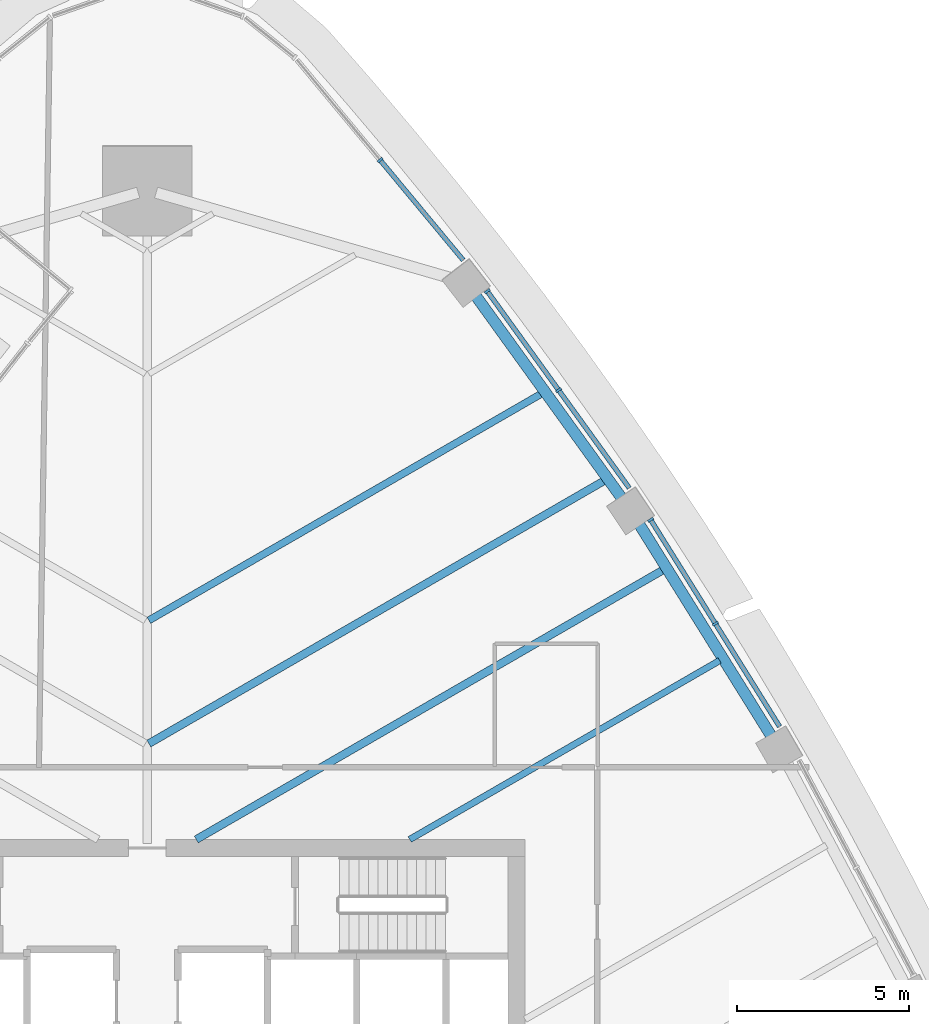
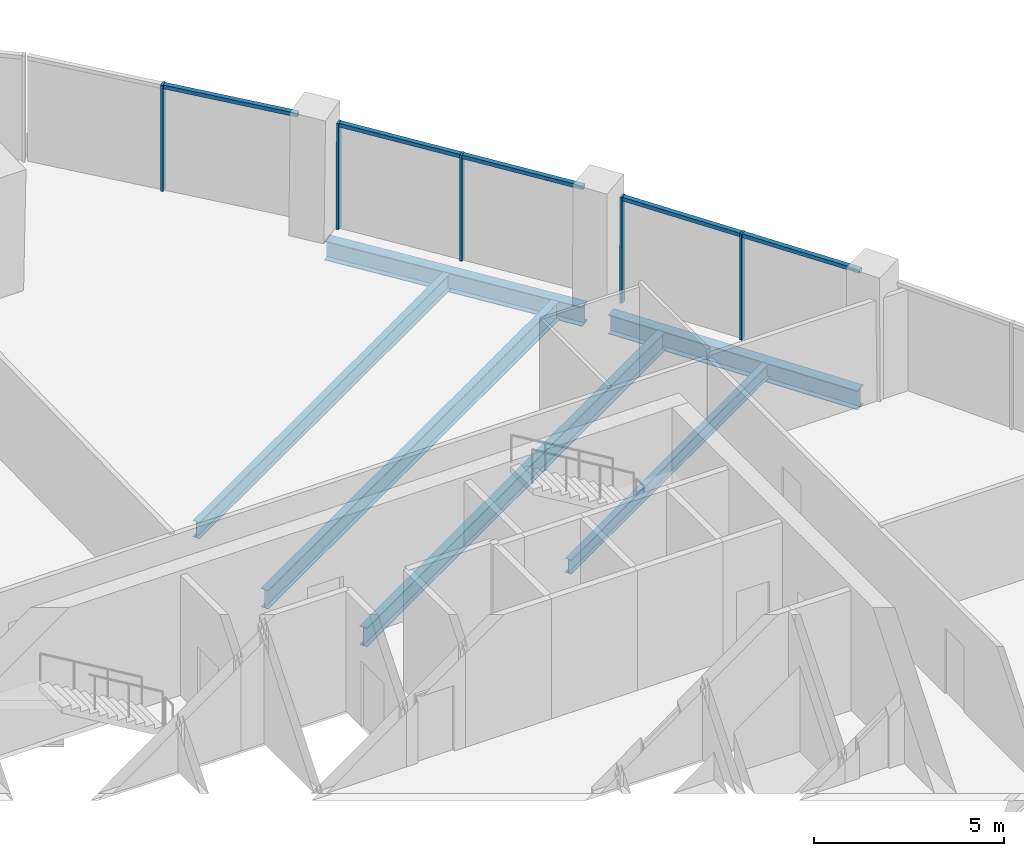
# One storey, part 6 of 18: 10 members, 6 beams, 3 elements without a shape of their own.
"""IFC4 building model written with IfcOpenShell, lengths in metres."""

from ifc_helpers import new_model, si_unit, direction, frame, origin, origin_2d, place, context, subcontext, project, spatial, rectangle, i_section, extrude, material, layer, layer_set, material_profile, profile_set, type_object, element, aggregate, save


model = new_model("IFC4")

# Units and contexts
model_context = context("Model", 3, precision=1e-05, world=origin(), true_north=direction((0.0, 1.0)))
body_context = subcontext(model_context, "Body", "Model", "MODEL_VIEW")
ifc_project = project(units=[si_unit("LENGTHUNIT", "METRE"), si_unit("AREAUNIT", "SQUARE_METRE"), si_unit("VOLUMEUNIT", "CUBIC_METRE"), si_unit("PLANEANGLEUNIT", "RADIAN"), si_unit("MASSUNIT", "GRAM", prefix="KILO")], contexts=[model_context])

# Site, building, storey
site_placement = place(None, origin())
site = spatial("IfcSite", under=ifc_project, at=site_placement, CompositionType="ELEMENT")
building_placement = place(site_placement, origin())
building = spatial("IfcBuilding", under=site, at=building_placement, Name="Sierra Prisma Convention Tower", CompositionType="ELEMENT")
storey_placement = place(building_placement, frame((0.0, 0.0, 189.800048828125)))
storey = spatial("IfcBuildingStorey", under=building, at=storey_placement, Name="L42", CompositionType="ELEMENT", Elevation=189.800048828125)

# Curtain wall, members
ifc_material_1 = material(Name="Aluminium and glass curtain wall", Category="aluminium")
ifc_layer = layer(ifc_material_1, 0.179931640625)
ifc_layer_set = layer_set([ifc_layer], Name="CW-1 Plain shaft curtain wall")
curtain_wall_type = type_object("IfcCurtainWallType", Name="CW-1 Plain shaft curtain wall", PredefinedType="NOTDEFINED", material=ifc_layer_set)
curtain_wall_1_placement = place(storey_placement, origin())
curtain_wall_1 = element("IfcCurtainWall", 1, at=curtain_wall_1_placement, inside=storey, type_object=curtain_wall_type, Name="CW-1 NE4 L42", PredefinedType="NOTDEFINED")
ifc_material_2 = material(Name="Aluminium 6063-T6 bronze anodised", Category="aluminium")
ifc_material_profile_1 = material_profile(ifc_material_2, rectangle(XDim=0.179931640625, YDim=0.070068359375, at=origin_2d()), Name="ALU MULLION 70x180")
ifc_profile_set_1 = profile_set([ifc_material_profile_1], Name="Aluminium 6063-T6 bronze anodised")
member_type_1 = type_object("IfcMemberType", Name="CW mullion bronze", PredefinedType="MULLION", material=ifc_profile_set_1)
member_1_placement = place(storey_placement, frame((16.54150390625, 14.2802734375, 0.0), z_axis=(0.0, 0.0, 1.0), x_axis=(-0.848608068677, -0.529022065491, 0.0)))
member_1 = element("IfcMember", 2, at=member_1_placement, type_object=member_type_1, Name="CW-1 mullion NE4.2", PredefinedType="MULLION", context=body_context, shape_type="SweptSolid", body=[
    extrude(rectangle(XDim=0.179931640625, YDim=0.070068359375, at=origin_2d()), origin(), (0.0, 0.0, 1.0), 3.39990234375),
])
member_2_placement = place(storey_placement, frame((14.65625, 17.304443359375, 0.0), z_axis=(0.0, 0.0, 1.0), x_axis=(-0.848608068677, -0.529022065491, 0.0)))
member_2 = element("IfcMember", 3, at=member_2_placement, type_object=member_type_1, Name="CW-1 mullion NE4.3", PredefinedType="MULLION", context=body_context, shape_type="SweptSolid", body=[
    extrude(rectangle(XDim=0.179931640625, YDim=0.070068359375, at=origin_2d()), origin(), (0.0, 0.0, 1.0), 3.39990234375),
])

curtain_wall_2_placement = place(storey_placement, origin())
curtain_wall_2 = element("IfcCurtainWall", 4, at=curtain_wall_2_placement, inside=storey, type_object=curtain_wall_type, Name="CW-1 NE5 L42", PredefinedType="NOTDEFINED")
member_3_placement = place(storey_placement, frame((11.97705078125, 21.080078125, 0.0), z_axis=(0.0, 0.0, 1.0), x_axis=(-0.810877858484, -0.58521542924, 0.0)))
member_3 = element("IfcMember", 5, at=member_3_placement, type_object=member_type_1, Name="CW-1 mullion NE5.2", PredefinedType="MULLION", context=body_context, shape_type="SweptSolid", body=[
    extrude(rectangle(XDim=0.179931640625, YDim=0.070068359375, at=origin_2d()), origin(), (0.0, 0.0, 1.0), 3.39990234375),
])
member_4_placement = place(storey_placement, frame((9.900634765625, 23.957275390625, 0.0), z_axis=(0.0, 0.0, 1.0), x_axis=(-0.810877858484, -0.58521542924, 0.0)))
member_4 = element("IfcMember", 6, at=member_4_placement, type_object=member_type_1, Name="CW-1 mullion NE5.3", PredefinedType="MULLION", context=body_context, shape_type="SweptSolid", body=[
    extrude(rectangle(XDim=0.179931640625, YDim=0.070068359375, at=origin_2d()), origin(), (0.0, 0.0, 1.0), 3.39990234375),
])

# Curtain wall, member
curtain_wall_3_placement = place(storey_placement, origin())
curtain_wall_3 = element("IfcCurtainWall", 7, at=curtain_wall_3_placement, inside=storey, type_object=curtain_wall_type, Name="CW-1 NE6 L42", PredefinedType="NOTDEFINED")
member_5_placement = place(storey_placement, frame((6.781005859375, 27.776611328125, 0.0), z_axis=(0.0, 0.0, 1.0), x_axis=(-0.769432803661, -0.638727767246, 0.0)))
member_5 = element("IfcMember", 8, at=member_5_placement, type_object=member_type_1, Name="CW-1 mullion NE6.2", PredefinedType="MULLION", context=body_context, shape_type="SweptSolid", body=[
    extrude(rectangle(XDim=0.179931640625, YDim=0.070068359375, at=origin_2d()), origin(), (0.0, 0.0, 1.0), 3.39990234375),
])

# Member
ifc_material_3 = material(Name="Aluminium 6063-T6 bronze anodised", Category="aluminium")
ifc_material_profile_2 = material_profile(ifc_material_3, rectangle(XDim=0.139892578125, YDim=0.1201171875, at=origin_2d()), Name="ALU TRANSOM 120x140")
ifc_profile_set_2 = profile_set([ifc_material_profile_2], Name="Aluminium 6063-T6 bronze anodised")
member_type_2 = type_object("IfcMemberType", Name="CW transom bronze", PredefinedType="USERDEFINED", material=ifc_profile_set_2)
member_6_placement = place(storey_placement, frame((18.408203125, 11.285888671875, 3.33984375), z_axis=(-0.528993548347, 0.848625845592, 0.0), x_axis=(-0.848625845592, -0.528993548347, 0.0)))
member_6 = element("IfcMember", 9, at=member_6_placement, type_object=member_type_2, Name="CW-1 transom NE4.1", ObjectType="TRANSOM", PredefinedType="USERDEFINED", context=body_context, shape_type="SweptSolid", body=[
    extrude(rectangle(XDim=0.139892578125, YDim=0.1201171875, at=origin_2d()), origin(), (0.0, 0.0, 1.0), 3.49365234375),
])

member_7_placement = place(storey_placement, frame((16.52294921875, 14.31005859375, 3.33984375), z_axis=(-0.528993548347, 0.848625845592, 0.0), x_axis=(-0.848625845592, -0.528993548347, 0.0)))
member_7 = element("IfcMember", 10, at=member_7_placement, type_object=member_type_2, Name="CW-1 transom NE4.2", ObjectType="TRANSOM", PredefinedType="USERDEFINED", context=body_context, shape_type="SweptSolid", body=[
    extrude(rectangle(XDim=0.139892578125, YDim=0.1201171875, at=origin_2d()), origin(), (0.0, 0.0, 1.0), 3.49365234375),
])

aggregate(curtain_wall_1, [member_1, member_2, member_6, member_7])

member_8_placement = place(storey_placement, frame((14.033203125, 18.23095703125, 3.33984375), z_axis=(-0.585188141364, 0.81089755161, 0.0), x_axis=(-0.81089755161, -0.585188141364, 0.0)))
member_8 = element("IfcMember", 11, at=member_8_placement, type_object=member_type_2, Name="CW-1 transom NE5.1", ObjectType="TRANSOM", PredefinedType="USERDEFINED", context=body_context, shape_type="SweptSolid", body=[
    extrude(rectangle(XDim=0.139892578125, YDim=0.1201171875, at=origin_2d()), origin(), (0.0, 0.0, 1.0), 3.478515625),
])

member_9_placement = place(storey_placement, frame((11.95654296875, 21.1083984375, 3.33984375), z_axis=(-0.585221446669, 0.810873515635, 0.0), x_axis=(-0.810873515635, -0.585221446669, 0.0)))
member_9 = element("IfcMember", 12, at=member_9_placement, type_object=member_type_2, Name="CW-1 transom NE5.2", ObjectType="TRANSOM", PredefinedType="USERDEFINED", context=body_context, shape_type="SweptSolid", body=[
    extrude(rectangle(XDim=0.139892578125, YDim=0.1201171875, at=origin_2d()), origin(), (0.0, 0.0, 1.0), 3.478515625),
])

aggregate(curtain_wall_2, [member_3, member_4, member_8, member_9])

member_10_placement = place(storey_placement, frame((9.198486328125, 24.864501953125, 3.33984375), z_axis=(-0.638780828733, 0.76938875274, 0.0), x_axis=(-0.76938875274, -0.638780828733, 0.0)))
member_10 = element("IfcMember", 13, at=member_10_placement, type_object=member_type_2, Name="CW-1 transom NE6.1", ObjectType="TRANSOM", PredefinedType="USERDEFINED", context=body_context, shape_type="SweptSolid", body=[
    extrude(rectangle(XDim=0.139892578125, YDim=0.1201171875, at=origin_2d()), origin(), (0.0, 0.0, 1.0), 3.749755859375),
])

aggregate(curtain_wall_3, [member_5, member_10])

# Beams
ifc_material_4 = material(Name="Steel ASTM A992 Gr 50", Category="steel")
ifc_material_profile_3 = material_profile(ifc_material_4, i_section(OverallWidth=0.18994140625, OverallDepth=0.45703125, WebThickness=0.009033203125, FlangeThickness=0.014404296875, at=origin_2d()), Name="W460x74")
ifc_profile_set_3 = profile_set([ifc_material_profile_3], Name="Steel ASTM A992 Gr 50")
beam_type_1 = type_object("IfcBeamType", Name="Floor joist W460x74", PredefinedType="JOIST", material=ifc_profile_set_3)
beam_1_placement = place(storey_placement, frame((16.664794921875, 13.20849609375, -0.378662109375), z_axis=(-0.866027911904, -0.499995655785, 0.0), x_axis=(0.499995655785, -0.866027911904, 0.0)))
element("IfcBeam", 14, at=beam_1_placement, inside=storey, type_object=beam_type_1, Name="Floor joist L42 NE09", PredefinedType="JOIST", context=body_context, shape_type="SweptSolid", body=[
    extrude(i_section(OverallWidth=0.18994140625, OverallDepth=0.45703125, WebThickness=0.009033203125, FlangeThickness=0.014404296875, at=origin_2d()), origin(), (0.0, 0.0, 1.0), 10.4169921875),
])
ifc_material_5 = material(Name="Steel ASTM A992 Gr 50", Category="steel")
ifc_material_profile_4 = material_profile(ifc_material_5, i_section(OverallWidth=0.208984375, OverallDepth=0.532958984375, WebThickness=0.01025390625, FlangeThickness=0.015625, at=origin_2d()), Name="W530x92")
ifc_profile_set_4 = profile_set([ifc_material_profile_4], Name="Steel ASTM A992 Gr 50")
beam_type_2 = type_object("IfcBeamType", Name="Floor joist W530x92", PredefinedType="JOIST", material=ifc_profile_set_4)
beam_2_placement = place(storey_placement, frame((11.48095703125, 20.97705078125, -0.41650390625), z_axis=(-0.866020477003, -0.500008533339, 0.0), x_axis=(0.500008533339, -0.866020477003, 0.0)))
element("IfcBeam", 15, at=beam_2_placement, inside=storey, type_object=beam_type_2, Name="Floor joist L42 NE12", PredefinedType="JOIST", context=body_context, shape_type="SweptSolid", body=[
    extrude(i_section(OverallWidth=0.208984375, OverallDepth=0.532958984375, WebThickness=0.01025390625, FlangeThickness=0.015625, at=origin_2d()), origin(), (0.0, 0.0, 1.0), 13.198486328125),
])
ifc_material_6 = material(Name="Steel ASTM A992 Gr 50", Category="steel")
ifc_material_profile_5 = material_profile(ifc_material_6, i_section(OverallWidth=0.22802734375, OverallDepth=0.60302734375, WebThickness=0.010498046875, FlangeThickness=0.014892578125, at=origin_2d()), Name="W610x101")
ifc_profile_set_5 = profile_set([ifc_material_profile_5], Name="Steel ASTM A992 Gr 50")
beam_type_3 = type_object("IfcBeamType", Name="Floor joist W610x101", PredefinedType="JOIST", material=ifc_profile_set_5)
beam_3_placement = place(storey_placement, frame((15.0205078125, 15.84619140625, -0.45166015625), z_axis=(-0.86602676955, -0.499997634417, 0.0), x_axis=(0.499997634417, -0.86602676955, 0.0)))
element("IfcBeam", 16, at=beam_3_placement, inside=storey, type_object=beam_type_3, Name="Floor joist L42 NE10", PredefinedType="JOIST", context=body_context, shape_type="SweptSolid", body=[
    extrude(i_section(OverallWidth=0.22802734375, OverallDepth=0.60302734375, WebThickness=0.010498046875, FlangeThickness=0.014892578125, at=origin_2d()), origin(), (0.0, 0.0, 1.0), 15.6923828125),
])
beam_4_placement = place(storey_placement, frame((13.308349609375, 18.44482421875, -0.45166015625), z_axis=(-0.866024379447, -0.500001774201, 0.0), x_axis=(0.500001774201, -0.866024379447, 0.0)))
element("IfcBeam", 17, at=beam_4_placement, inside=storey, type_object=beam_type_3, Name="Floor joist L42 NE11", PredefinedType="JOIST", context=body_context, shape_type="SweptSolid", body=[
    extrude(i_section(OverallWidth=0.22802734375, OverallDepth=0.60302734375, WebThickness=0.010498046875, FlangeThickness=0.014892578125, at=origin_2d()), origin(), (0.0, 0.0, 1.0), 15.30859375),
])
ifc_material_7 = material(Name="Steel ASTM A992 Gr 50", Category="steel")
ifc_material_profile_6 = material_profile(ifc_material_7, i_section(OverallWidth=0.324951171875, OverallDepth=0.615966796875, WebThickness=0.013916015625, FlangeThickness=0.021484375, at=origin_2d()), Name="W610x174")
ifc_profile_set_6 = profile_set([ifc_material_profile_6], Name="Steel ASTM A992 Gr 50")
beam_type_4 = type_object("IfcBeamType", Name="Spandrel beam W610x174", PredefinedType="BEAM", material=ifc_profile_set_6)
beam_5_placement = place(storey_placement, frame((18.20556640625, 10.94970703125, -0.4580078125), z_axis=(-0.529023301932, 0.848607297879, 0.0), x_axis=(-0.848607297879, -0.529023301932, 0.0)))
element("IfcBeam", 18, at=beam_5_placement, inside=storey, type_object=beam_type_4, Name="Spandrel L42-10", PredefinedType="BEAM", context=body_context, shape_type="SweptSolid", body=[
    extrude(i_section(OverallWidth=0.324951171875, OverallDepth=0.615966796875, WebThickness=0.013916015625, FlangeThickness=0.021484375, at=origin_2d()), origin(), (0.0, 0.0, 1.0), 7.425537109375),
])
beam_6_placement = place(storey_placement, frame((13.853759765625, 17.882080078125, -0.4580078125), z_axis=(-0.585221616954, 0.810873392737, 0.0), x_axis=(-0.810873392737, -0.585221616954, 0.0)))
element("IfcBeam", 19, at=beam_6_placement, inside=storey, type_object=beam_type_4, Name="Spandrel L42-11", PredefinedType="BEAM", context=body_context, shape_type="SweptSolid", body=[
    extrude(i_section(OverallWidth=0.324951171875, OverallDepth=0.615966796875, WebThickness=0.013916015625, FlangeThickness=0.021484375, at=origin_2d()), origin(), (0.0, 0.0, 1.0), 7.42529296875),
])

save(model, "model.ifc")
